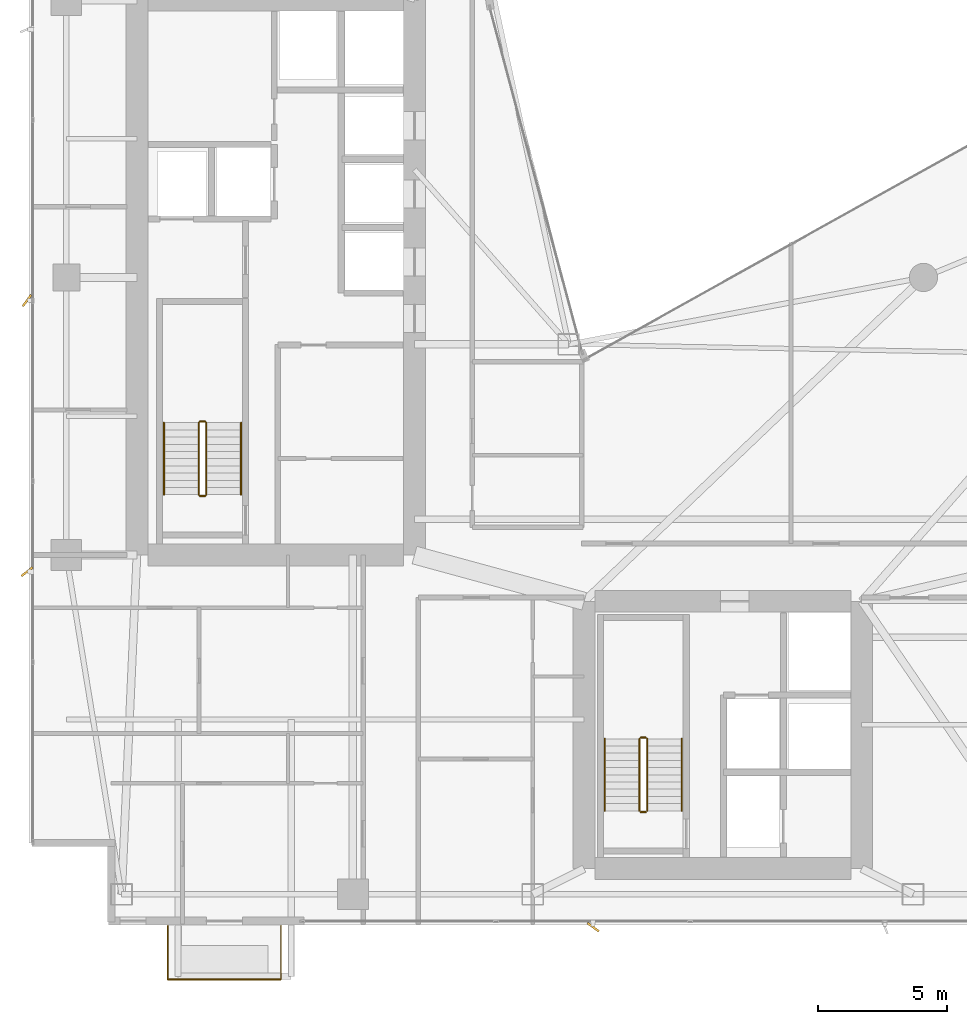
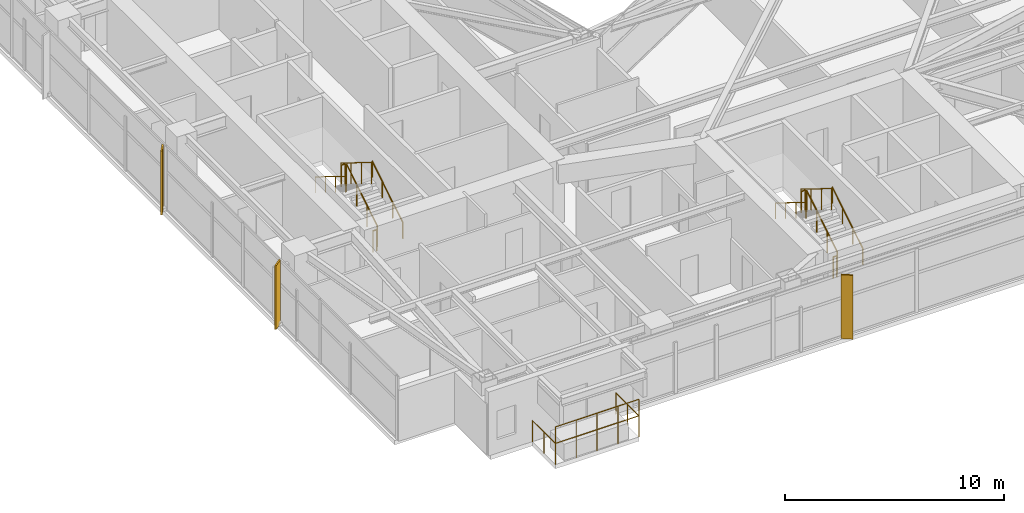
# One storey, part 28 of 29: 14 railings, 3 shading devices.
"""IFC4 building model written with IfcOpenShell, lengths in metres."""

from ifc_helpers import new_model, si_unit, direction, frame, origin, origin_2d, place, context, subcontext, project, spatial, rectangle, circle, extrude, material, type_object, element, save


model = new_model("IFC4")

# Units and contexts
model_context = context("Model", 3, precision=1e-05, world=origin(), true_north=direction((0.0, 1.0)))
body_context = subcontext(model_context, "Body", "Model", "MODEL_VIEW")
ifc_project = project(units=[si_unit("LENGTHUNIT", "METRE"), si_unit("AREAUNIT", "SQUARE_METRE"), si_unit("VOLUMEUNIT", "CUBIC_METRE"), si_unit("PLANEANGLEUNIT", "RADIAN"), si_unit("MASSUNIT", "GRAM", prefix="KILO")], contexts=[model_context])

# Site, building, storey
site_placement = place(None, origin())
site = spatial("IfcSite", under=ifc_project, at=site_placement, CompositionType="ELEMENT")
building_placement = place(site_placement, origin())
building = spatial("IfcBuilding", under=site, at=building_placement, Name="Calvorn Quay Hotel", CompositionType="ELEMENT")
storey_placement = place(building_placement, frame((0.0, 0.0, 124.0)))
storey = spatial("IfcBuildingStorey", under=building, at=storey_placement, Name="L30", CompositionType="ELEMENT", Elevation=124.0)

# Railings
ifc_material_1 = material(Name="Pale Anodised Aluminium and Laminated Glass", Category="aluminium")
railing_type_1 = type_object("IfcRailingType", Name="RLG-BALUSTRADE-1200", PredefinedType="BALUSTRADE", material=ifc_material_1)
railing_1_placement = place(storey_placement, frame((5.39990234375, 2.389892578125, 0.0)))
element("IfcRailing", 1, at=railing_1_placement, inside=storey, type_object=railing_type_1, Name="Tree Balcony Perimeter Balustrade L30-BALC-S", PredefinedType="BALUSTRADE", context=body_context, shape_type="SweptSolid", body=[
    extrude(circle(Radius=0.02392578125, at=origin_2d()), frame((0.0, 0.0, 1.17578125), z_axis=(0.0, -1.0, 0.0), x_axis=(1.0, 0.0, 0.0)), (0.0, 0.0, 1.0), 2.099853515625),
    extrude(circle(Radius=0.02392578125, at=origin_2d()), frame((0.0, -2.099853515625, 1.17578125), z_axis=(1.0, 0.0, 0.0), x_axis=(0.0, 1.0, 0.0)), (0.0, 0.0, 1.0), 4.400146484375),
    extrude(circle(Radius=0.02392578125, at=origin_2d()), frame((4.400146484375, -2.099853515625, 1.17578125), z_axis=(0.0, 1.0, 0.0), x_axis=(-1.0, 0.0, 0.0)), (0.0, 0.0, 1.0), 2.099853515625),
    extrude(circle(Radius=0.02099609375, at=origin_2d()), origin(), (0.0, 0.0, 1.0), 1.15185546875),
    extrude(circle(Radius=0.02099609375, at=origin_2d()), frame((0.0, -1.0498046875, 0.0)), (0.0, 0.0, 1.0), 1.15185546875),
    extrude(circle(Radius=0.02099609375, at=origin_2d()), frame((0.0, -2.099853515625, 0.0)), (0.0, 0.0, 1.0), 1.15185546875),
    extrude(circle(Radius=0.02099609375, at=origin_2d()), frame((1.10009765625, -2.099853515625, 0.0)), (0.0, 0.0, 1.0), 1.15185546875),
    extrude(circle(Radius=0.02099609375, at=origin_2d()), frame((2.2001953125, -2.099853515625, 0.0)), (0.0, 0.0, 1.0), 1.15185546875),
    extrude(circle(Radius=0.02099609375, at=origin_2d()), frame((3.300048828125, -2.099853515625, 0.0)), (0.0, 0.0, 1.0), 1.15185546875),
    extrude(circle(Radius=0.02099609375, at=origin_2d()), frame((4.400146484375, -2.099853515625, 0.0)), (0.0, 0.0, 1.0), 1.15185546875),
    extrude(circle(Radius=0.02099609375, at=origin_2d()), frame((4.400146484375, -1.0498046875, 0.0)), (0.0, 0.0, 1.0), 1.15185546875),
    extrude(circle(Radius=0.02099609375, at=origin_2d()), frame((4.400146484375, 0.0, 0.0)), (0.0, 0.0, 1.0), 1.15185546875),
])
railing_2_placement = place(storey_placement, frame((5.39990234375, 0.2900390625, 0.89990234375)))
element("IfcRailing", 2, at=railing_2_placement, inside=storey, type_object=railing_type_1, Name="Planter Kerb High Safety Screen L30-BALC-S", PredefinedType="BALUSTRADE", context=body_context, shape_type="SweptSolid", body=[
    extrude(circle(Radius=0.02392578125, at=origin_2d()), frame((0.0, 0.0, 1.19580078125), z_axis=(1.0, 0.0, 0.0), x_axis=(0.0, 1.0, 0.0)), (0.0, 0.0, 1.0), 4.400146484375),
    extrude(circle(Radius=0.02099609375, at=origin_2d()), origin(), (0.0, 0.0, 1.0), 1.171875),
    extrude(circle(Radius=0.02099609375, at=origin_2d()), frame((1.10009765625, 0.0, 0.0)), (0.0, 0.0, 1.0), 1.171875),
    extrude(circle(Radius=0.02099609375, at=origin_2d()), frame((2.2001953125, 0.0, 0.0)), (0.0, 0.0, 1.0), 1.171875),
    extrude(circle(Radius=0.02099609375, at=origin_2d()), frame((3.300048828125, 0.0, 0.0)), (0.0, 0.0, 1.0), 1.171875),
    extrude(circle(Radius=0.02099609375, at=origin_2d()), frame((4.400146484375, 0.0, 0.0)), (0.0, 0.0, 1.0), 1.171875),
])
ifc_material_2 = material(Name="Brushed Stainless Steel Handrail", Category="steel")
railing_type_2 = type_object("IfcRailingType", Name="RLG-HANDRAIL-900", PredefinedType="HANDRAIL", material=ifc_material_2)
railing_3_placement = place(storey_placement, frame((8.25, 19.14990234375, 0.172607421875)))
element("IfcRailing", 3, at=railing_3_placement, inside=storey, type_object=railing_type_2, Name="L30 ST-W stair handrail 1", PredefinedType="HANDRAIL", context=body_context, shape_type="SweptSolid", body=[
    extrude(circle(Radius=0.02392578125, at=origin_2d()), frame((0.0, 0.0, 0.8759765625), z_axis=(0.0, 0.851089632645, 0.525020415988), x_axis=(-1.0, 0.0, 0.0)), (0.0, 0.0, 1.0), 3.2900390625),
    extrude(circle(Radius=0.02099609375, at=origin_2d()), origin(), (0.0, 0.0, 1.0), 0.851806640625),
    extrude(circle(Radius=0.02099609375, at=origin_2d()), frame((0.0, 0.933349609375, 0.57568359375)), (0.0, 0.0, 1.0), 0.851806640625),
    extrude(circle(Radius=0.02099609375, at=origin_2d()), frame((0.0, 1.86669921875, 1.151611328125)), (0.0, 0.0, 1.0), 0.851806640625),
    extrude(circle(Radius=0.02099609375, at=origin_2d()), frame((0.0, 2.800048828125, 1.727294921875)), (0.0, 0.0, 1.0), 0.851806640625),
])
railing_4_placement = place(storey_placement, frame((5.25, 21.949951171875, 2.07275390625)))
element("IfcRailing", 4, at=railing_4_placement, inside=storey, type_object=railing_type_2, Name="L30 ST-W stair handrail 2", PredefinedType="HANDRAIL", context=body_context, shape_type="SweptSolid", body=[
    extrude(circle(Radius=0.02392578125, at=origin_2d()), frame((0.0, 0.0, 0.8759765625), z_axis=(0.0, -0.851089632645, 0.525020415988), x_axis=(1.0, 0.0, 0.0)), (0.0, 0.0, 1.0), 3.2900390625),
    extrude(circle(Radius=0.02099609375, at=origin_2d()), origin(), (0.0, 0.0, 1.0), 0.851806640625),
    extrude(circle(Radius=0.02099609375, at=origin_2d()), frame((0.0, -0.933349609375, 0.57568359375)), (0.0, 0.0, 1.0), 0.851806640625),
    extrude(circle(Radius=0.02099609375, at=origin_2d()), frame((0.0, -1.86669921875, 1.151611328125)), (0.0, 0.0, 1.0), 0.851806640625),
    extrude(circle(Radius=0.02099609375, at=origin_2d()), frame((0.0, -2.800048828125, 1.727294921875)), (0.0, 0.0, 1.0), 0.851806640625),
])
railing_5_placement = place(storey_placement, frame((25.39990234375, 6.85009765625, 0.172607421875)))
element("IfcRailing", 5, at=railing_5_placement, inside=storey, type_object=railing_type_2, Name="L30 ST-E stair handrail 1", PredefinedType="HANDRAIL", context=body_context, shape_type="SweptSolid", body=[
    extrude(circle(Radius=0.02392578125, at=origin_2d()), frame((0.0, 0.0, 0.8759765625), z_axis=(0.0, 0.851069175582, 0.525053576669), x_axis=(-1.0, 0.0, 0.0)), (0.0, 0.0, 1.0), 3.289794921875),
    extrude(circle(Radius=0.02099609375, at=origin_2d()), origin(), (0.0, 0.0, 1.0), 0.851806640625),
    extrude(circle(Radius=0.02099609375, at=origin_2d()), frame((0.0, 0.933349609375, 0.57568359375)), (0.0, 0.0, 1.0), 0.851806640625),
    extrude(circle(Radius=0.02099609375, at=origin_2d()), frame((0.0, 1.866455078125, 1.151611328125)), (0.0, 0.0, 1.0), 0.851806640625),
    extrude(circle(Radius=0.02099609375, at=origin_2d()), frame((0.0, 2.7998046875, 1.727294921875)), (0.0, 0.0, 1.0), 0.851806640625),
])
railing_6_placement = place(storey_placement, frame((22.39990234375, 9.64990234375, 2.07275390625)))
element("IfcRailing", 6, at=railing_6_placement, inside=storey, type_object=railing_type_2, Name="L30 ST-E stair handrail 2", PredefinedType="HANDRAIL", context=body_context, shape_type="SweptSolid", body=[
    extrude(circle(Radius=0.02392578125, at=origin_2d()), frame((0.0, 0.0, 0.8759765625), z_axis=(0.0, -0.851069175582, 0.525053576669), x_axis=(1.0, 0.0, 0.0)), (0.0, 0.0, 1.0), 3.289794921875),
    extrude(circle(Radius=0.02099609375, at=origin_2d()), origin(), (0.0, 0.0, 1.0), 0.851806640625),
    extrude(circle(Radius=0.02099609375, at=origin_2d()), frame((0.0, -0.933349609375, 0.57568359375)), (0.0, 0.0, 1.0), 0.851806640625),
    extrude(circle(Radius=0.02099609375, at=origin_2d()), frame((0.0, -1.866455078125, 1.151611328125)), (0.0, 0.0, 1.0), 0.851806640625),
    extrude(circle(Radius=0.02099609375, at=origin_2d()), frame((0.0, -2.7998046875, 1.727294921875)), (0.0, 0.0, 1.0), 0.851806640625),
])
ifc_material_3 = material(Name="Painted Galvanised Steel Balustrade", Category="steel")
railing_type_3 = type_object("IfcRailingType", Name="RLG-STAIR-GUARD-1120", PredefinedType="GUARDRAIL", material=ifc_material_3)
railing_7_placement = place(storey_placement, frame((6.89990234375, 19.14990234375, 0.172607421875)))
element("IfcRailing", 7, at=railing_7_placement, inside=storey, type_object=railing_type_3, Name="L30 ST-W stair guard 1", PredefinedType="GUARDRAIL", context=body_context, shape_type="SweptSolid", body=[
    extrude(circle(Radius=0.02392578125, at=origin_2d()), frame((0.0, 0.0, 1.17578125), z_axis=(0.0, 0.851089632645, 0.525020415988), x_axis=(-1.0, 0.0, 0.0)), (0.0, 0.0, 1.0), 3.2900390625),
    extrude(circle(Radius=0.02099609375, at=origin_2d()), origin(), (0.0, 0.0, 1.0), 1.15185546875),
    extrude(circle(Radius=0.02099609375, at=origin_2d()), frame((0.0, 0.933349609375, 0.57568359375)), (0.0, 0.0, 1.0), 1.15185546875),
    extrude(circle(Radius=0.02099609375, at=origin_2d()), frame((0.0, 1.86669921875, 1.151611328125)), (0.0, 0.0, 1.0), 1.15185546875),
    extrude(circle(Radius=0.02099609375, at=origin_2d()), frame((0.0, 2.800048828125, 1.727294921875)), (0.0, 0.0, 1.0), 1.15185546875),
])
railing_8_placement = place(storey_placement, frame((6.85009765625, 22.0, 1.89990234375)))
element("IfcRailing", 8, at=railing_8_placement, inside=storey, type_object=railing_type_3, Name="L30 ST-W stair guard 2", PredefinedType="GUARDRAIL", context=body_context, shape_type="SweptSolid", body=[
    extrude(circle(Radius=0.02392578125, at=origin_2d()), frame((0.0, 0.0, 1.17578125), z_axis=(-1.0, 0.0, 0.0), x_axis=(0.0, -1.0, 0.0)), (0.0, 0.0, 1.0), 0.2001953125),
    extrude(circle(Radius=0.02099609375, at=origin_2d()), origin(), (0.0, 0.0, 1.0), 1.15185546875),
    extrude(circle(Radius=0.02099609375, at=origin_2d()), frame((-0.2001953125, 0.0, 0.0)), (0.0, 0.0, 1.0), 1.15185546875),
])
railing_9_placement = place(storey_placement, frame((6.60009765625, 21.949951171875, 2.07275390625)))
element("IfcRailing", 9, at=railing_9_placement, inside=storey, type_object=railing_type_3, Name="L30 ST-W stair guard 3", PredefinedType="GUARDRAIL", context=body_context, shape_type="SweptSolid", body=[
    extrude(circle(Radius=0.02392578125, at=origin_2d()), frame((0.0, 0.0, 1.17578125), z_axis=(0.0, -0.851089632645, 0.525020415988), x_axis=(1.0, 0.0, 0.0)), (0.0, 0.0, 1.0), 3.2900390625),
    extrude(circle(Radius=0.02099609375, at=origin_2d()), origin(), (0.0, 0.0, 1.0), 1.15185546875),
    extrude(circle(Radius=0.02099609375, at=origin_2d()), frame((0.0, -0.933349609375, 0.57568359375)), (0.0, 0.0, 1.0), 1.15185546875),
    extrude(circle(Radius=0.02099609375, at=origin_2d()), frame((0.0, -1.86669921875, 1.151611328125)), (0.0, 0.0, 1.0), 1.15185546875),
    extrude(circle(Radius=0.02099609375, at=origin_2d()), frame((0.0, -2.800048828125, 1.727294921875)), (0.0, 0.0, 1.0), 1.15185546875),
])
railing_10_placement = place(storey_placement, frame((6.85009765625, 19.10009765625, 0.0)))
element("IfcRailing", 10, at=railing_10_placement, inside=storey, type_object=railing_type_3, Name="L30 ST-W stair guard 4", PredefinedType="GUARDRAIL", context=body_context, shape_type="SweptSolid", body=[
    extrude(circle(Radius=0.02392578125, at=origin_2d()), frame((0.0, 0.0, 1.17578125), z_axis=(-1.0, 0.0, 0.0), x_axis=(0.0, -1.0, 0.0)), (0.0, 0.0, 1.0), 0.2001953125),
    extrude(circle(Radius=0.02099609375, at=origin_2d()), origin(), (0.0, 0.0, 1.0), 1.15185546875),
    extrude(circle(Radius=0.02099609375, at=origin_2d()), frame((-0.2001953125, 0.0, 0.0)), (0.0, 0.0, 1.0), 1.15185546875),
])
railing_11_placement = place(storey_placement, frame((24.050048828125, 6.85009765625, 0.172607421875)))
element("IfcRailing", 11, at=railing_11_placement, inside=storey, type_object=railing_type_3, Name="L30 ST-E stair guard 1", PredefinedType="GUARDRAIL", context=body_context, shape_type="SweptSolid", body=[
    extrude(circle(Radius=0.02392578125, at=origin_2d()), frame((0.0, 0.0, 1.17578125), z_axis=(0.0, 0.851069175582, 0.525053576669), x_axis=(-1.0, 0.0, 0.0)), (0.0, 0.0, 1.0), 3.289794921875),
    extrude(circle(Radius=0.02099609375, at=origin_2d()), origin(), (0.0, 0.0, 1.0), 1.15185546875),
    extrude(circle(Radius=0.02099609375, at=origin_2d()), frame((0.0, 0.933349609375, 0.57568359375)), (0.0, 0.0, 1.0), 1.15185546875),
    extrude(circle(Radius=0.02099609375, at=origin_2d()), frame((0.0, 1.866455078125, 1.151611328125)), (0.0, 0.0, 1.0), 1.15185546875),
    extrude(circle(Radius=0.02099609375, at=origin_2d()), frame((0.0, 2.7998046875, 1.727294921875)), (0.0, 0.0, 1.0), 1.15185546875),
])
railing_12_placement = place(storey_placement, frame((24.0, 9.699951171875, 1.89990234375)))
element("IfcRailing", 12, at=railing_12_placement, inside=storey, type_object=railing_type_3, Name="L30 ST-E stair guard 2", PredefinedType="GUARDRAIL", context=body_context, shape_type="SweptSolid", body=[
    extrude(circle(Radius=0.02392578125, at=origin_2d()), frame((0.0, 0.0, 1.17578125), z_axis=(-1.0, 0.0, 0.0), x_axis=(0.0, -1.0, 0.0)), (0.0, 0.0, 1.0), 0.199951171875),
    extrude(circle(Radius=0.02099609375, at=origin_2d()), origin(), (0.0, 0.0, 1.0), 1.15185546875),
    extrude(circle(Radius=0.02099609375, at=origin_2d()), frame((-0.199951171875, 0.0, 0.0)), (0.0, 0.0, 1.0), 1.15185546875),
])
railing_13_placement = place(storey_placement, frame((23.75, 9.64990234375, 2.07275390625)))
element("IfcRailing", 13, at=railing_13_placement, inside=storey, type_object=railing_type_3, Name="L30 ST-E stair guard 3", PredefinedType="GUARDRAIL", context=body_context, shape_type="SweptSolid", body=[
    extrude(circle(Radius=0.02392578125, at=origin_2d()), frame((0.0, 0.0, 1.17578125), z_axis=(0.0, -0.851069175582, 0.525053576669), x_axis=(1.0, 0.0, 0.0)), (0.0, 0.0, 1.0), 3.289794921875),
    extrude(circle(Radius=0.02099609375, at=origin_2d()), origin(), (0.0, 0.0, 1.0), 1.15185546875),
    extrude(circle(Radius=0.02099609375, at=origin_2d()), frame((0.0, -0.933349609375, 0.57568359375)), (0.0, 0.0, 1.0), 1.15185546875),
    extrude(circle(Radius=0.02099609375, at=origin_2d()), frame((0.0, -1.866455078125, 1.151611328125)), (0.0, 0.0, 1.0), 1.15185546875),
    extrude(circle(Radius=0.02099609375, at=origin_2d()), frame((0.0, -2.7998046875, 1.727294921875)), (0.0, 0.0, 1.0), 1.15185546875),
])
railing_14_placement = place(storey_placement, frame((24.0, 6.800048828125, 0.0)))
element("IfcRailing", 14, at=railing_14_placement, inside=storey, type_object=railing_type_3, Name="L30 ST-E stair guard 4", PredefinedType="GUARDRAIL", context=body_context, shape_type="SweptSolid", body=[
    extrude(circle(Radius=0.02392578125, at=origin_2d()), frame((0.0, 0.0, 1.17578125), z_axis=(-1.0, 0.0, 0.0), x_axis=(0.0, -1.0, 0.0)), (0.0, 0.0, 1.0), 0.199951171875),
    extrude(circle(Radius=0.02099609375, at=origin_2d()), origin(), (0.0, 0.0, 1.0), 1.15185546875),
    extrude(circle(Radius=0.02099609375, at=origin_2d()), frame((-0.199951171875, 0.0, 0.0)), (0.0, 0.0, 1.0), 1.15185546875),
])

# Shading devices
ifc_material_4 = material(Name="Champagne Bronze Anodised Aluminium 6063-T6", Category="aluminium")
shading_device_type_1 = type_object("IfcShadingDeviceType", Name="SHD-FIN-A2", PredefinedType="USERDEFINED", material=ifc_material_4)
shading_device_placement = place(storey_placement, frame((-0.080078125, 16.14990234375, 0.0), z_axis=(0.0, 0.0, 1.0), x_axis=(0.788010753607, 0.615661475326, 0.0)))
element("IfcShadingDevice", 15, at=shading_device_placement, inside=storey, type_object=shading_device_type_1, Name="Diagonal Sun-Shading Fin L30-W01", ObjectType="FIN", PredefinedType="USERDEFINED", context=body_context, shape_type="SweptSolid", body=[
    extrude(rectangle(XDim=0.550048828125, YDim=0.080078125, at=origin_2d()), origin(), (0.0, 0.0, 1.0), 3.56005859375),
])
ifc_material_5 = material(Name="Champagne Bronze Anodised Aluminium 6063-T6", Category="aluminium")
shading_device_type_2 = type_object("IfcShadingDeviceType", Name="SHD-FIN-A3", PredefinedType="USERDEFINED", material=ifc_material_5)
for number, where, z_axis, x_axis, name in (
    (16, (-0.080078125, 26.699951171875, 0.0), (0.0, 0.0, 1.0), (0.587785252292, 0.809016994375, 0.0), "Diagonal Sun-Shading Fin L30-W02"),
    (17, (21.949951171875, 2.320068359375, 0.0), (0.0, 0.0, 1.0), (-0.809016994375, 0.587785252292, 0.0), "Diagonal Sun-Shading Fin L30-S01"),
):
    element("IfcShadingDevice", number, at=place(storey_placement, frame(where, z_axis=z_axis, x_axis=x_axis)), inside=storey, type_object=shading_device_type_2, Name=name, ObjectType="FIN", PredefinedType="USERDEFINED", context=body_context, shape_type="SweptSolid", body=[
        extrude(rectangle(XDim=0.550048828125, YDim=0.080078125, at=origin_2d()), origin(), (0.0, 0.0, 1.0), 3.56005859375),
    ])

save(model, "model.ifc")
